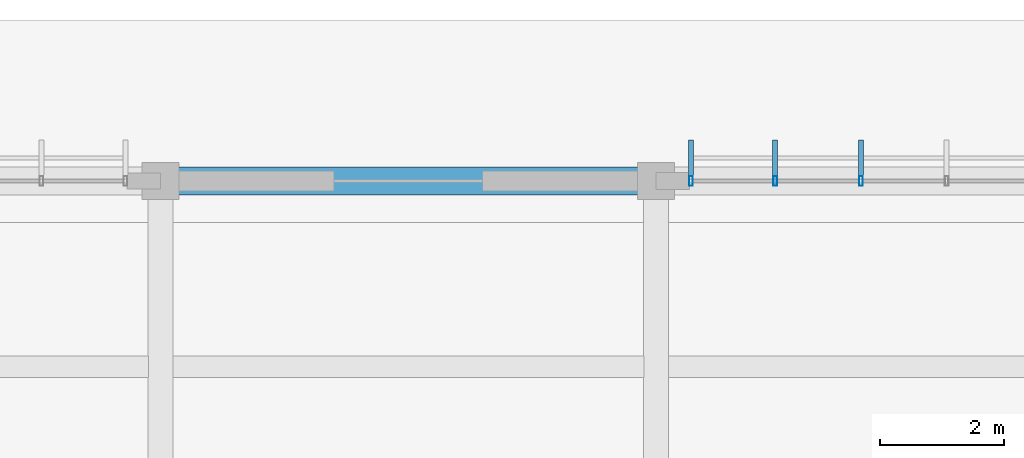
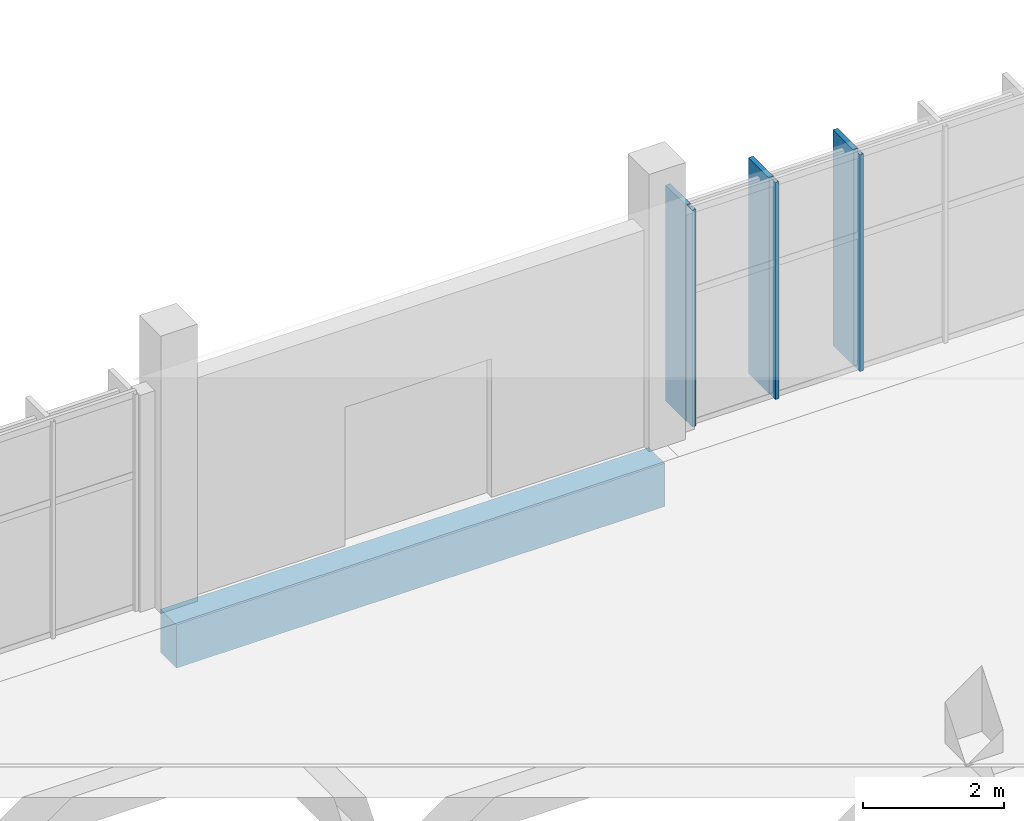
# One storey, part 93 of 151: 6 members, 1 beam, 1 element without a shape of its own.
"""IFC4 building model written with IfcOpenShell, lengths in metres."""

from ifc_helpers import new_model, si_unit, direction, frame, origin, origin_2d, place, context, subcontext, project, spatial, rectangle, hollow_rectangle, extrude, material, material_profile, profile_set, type_object, element, aggregate, save


model = new_model("IFC4")

# Units and contexts
model_context = context("Model", 3, precision=1e-05, world=origin(), true_north=direction((0.0, 1.0)))
body_context = subcontext(model_context, "Body", "Model", "MODEL_VIEW")
ifc_project = project(units=[si_unit("LENGTHUNIT", "METRE"), si_unit("AREAUNIT", "SQUARE_METRE"), si_unit("VOLUMEUNIT", "CUBIC_METRE"), si_unit("PLANEANGLEUNIT", "RADIAN"), si_unit("MASSUNIT", "GRAM", prefix="KILO")], contexts=[model_context])

# Site, building, storey
site_placement = place(None, origin())
site = spatial("IfcSite", under=ifc_project, at=site_placement, CompositionType="ELEMENT")
building_placement = place(site_placement, origin())
building = spatial("IfcBuilding", under=site, at=building_placement, Name="Chiffa Square Polytechnic", CompositionType="ELEMENT")
storey_placement = place(building_placement, origin())
storey = spatial("IfcBuildingStorey", under=building, at=storey_placement, Name="L00", CompositionType="ELEMENT", Elevation=0.0)

# Beam
ifc_material_1 = material(Name="Concrete C35/45", Category="concrete")
ifc_material_profile_1 = material_profile(ifc_material_1, rectangle(XDim=0.449951171875, YDim=0.75, at=origin_2d()), Name="RC 450x750")
ifc_profile_set_1 = profile_set([ifc_material_profile_1], Name="Concrete C35/45")
beam_type = type_object("IfcBeamType", Name="BM-RC-450X750", PredefinedType="BEAM", material=ifc_profile_set_1)
beam_placement = place(storey_placement, frame((16.0, 130.800048828125, -0.72509765625), z_axis=(1.0, 0.0, 0.0), x_axis=(0.0, 1.0, 0.0)))
element("IfcBeam", 1, at=beam_placement, inside=storey, type_object=beam_type, Name="Primary floor girder BM-V5-L00-X-0160-1308", PredefinedType="BEAM", context=body_context, shape_type="SweptSolid", body=[
    extrude(rectangle(XDim=0.449951171875, YDim=0.75, at=origin_2d()), origin(), (0.0, 0.0, 1.0), 8.0),
])

# Curtain wall, members
ifc_material_2 = material(Name="Aluminium EN AW-6060 T66 and glulam shading", Category="wood")
curtain_wall_type = type_object("IfcCurtainWallType", Name="CW-VERT-600X380", PredefinedType="USERDEFINED", material=ifc_material_2)
curtain_wall_placement = place(storey_placement, origin())
curtain_wall = element("IfcCurtainWall", 2, at=curtain_wall_placement, inside=storey, type_object=curtain_wall_type, Name="Curtain wall CW-V5-L00-196", ObjectType="CURTAIN WALL", PredefinedType="USERDEFINED")
ifc_material_3 = material(Name="Aluminium EN AW-6060 T66", Category="aluminium")
ifc_material_profile_2 = material_profile(ifc_material_3, hollow_rectangle(XDim=0.06005859375, YDim=0.159912109375, WallThickness=0.00390625, at=origin_2d()), Name="ALU 60x160x4")
ifc_profile_set_2 = profile_set([ifc_material_profile_2], Name="Aluminium EN AW-6060 T66")
member_type_1 = type_object("IfcMemberType", Name="CWM-ALU-65X150", PredefinedType="MULLION", material=ifc_profile_set_2)
member_1_placement = place(storey_placement, frame((27.30810546875, 130.800048828125, 0.0), z_axis=(0.0, 0.0, 1.0), x_axis=(1.0, 0.0, 0.0)))
member_1 = element("IfcMember", 3, at=member_1_placement, type_object=member_type_1, Name="Curtain wall mullion CW-V5-L00-196-M03", PredefinedType="MULLION", context=body_context, shape_type="SweptSolid", body=[
    extrude(hollow_rectangle(XDim=0.06005859375, YDim=0.159912109375, WallThickness=0.00390625, at=origin_2d()), origin(), (0.0, 0.0, 1.0), 3.7548828125),
])
member_2_placement = place(storey_placement, frame((25.924072265625, 130.800048828125, 0.0), z_axis=(0.0, 0.0, 1.0), x_axis=(1.0, 0.0, 0.0)))
member_2 = element("IfcMember", 4, at=member_2_placement, type_object=member_type_1, Name="Curtain wall mullion CW-V5-L00-196-M04", PredefinedType="MULLION", context=body_context, shape_type="SweptSolid", body=[
    extrude(hollow_rectangle(XDim=0.06005859375, YDim=0.159912109375, WallThickness=0.00390625, at=origin_2d()), origin(), (0.0, 0.0, 1.0), 3.7548828125),
])
member_3_placement = place(storey_placement, frame((24.56494140625, 130.800048828125, 0.0), z_axis=(0.0, 0.0, 1.0), x_axis=(1.0, 0.0, 0.0)))
member_3 = element("IfcMember", 5, at=member_3_placement, type_object=member_type_1, Name="Curtain wall mullion CW-V5-L00-196-M05", PredefinedType="MULLION", context=body_context, shape_type="SweptSolid", body=[
    extrude(hollow_rectangle(XDim=0.06005859375, YDim=0.159912109375, WallThickness=0.00390625, at=origin_2d()), origin(), (0.0, 0.0, 1.0), 3.7548828125),
])
ifc_material_4 = material(Name="Glulam GL28h", Category="wood")
ifc_material_profile_3 = material_profile(ifc_material_4, rectangle(XDim=0.080078125, YDim=0.580078125, at=origin_2d()), Name="GL28h 80x580")
ifc_profile_set_3 = profile_set([ifc_material_profile_3], Name="Glulam GL28h")
member_type_2 = type_object("IfcMemberType", Name="CWM-GL-80X580", PredefinedType="MULLION", material=ifc_profile_set_3)
member_4_placement = place(storey_placement, frame((27.30810546875, 131.172119140625, 0.010009765625), z_axis=(0.0, 0.0, 1.0), x_axis=(-1.0, 0.0, 0.0)))
member_4 = element("IfcMember", 6, at=member_4_placement, type_object=member_type_2, Name="Exterior glulam solar fin CW-V5-L00-196-FN03", PredefinedType="MULLION", context=body_context, shape_type="SweptSolid", body=[
    extrude(rectangle(XDim=0.080078125, YDim=0.580078125, at=origin_2d()), origin(), (0.0, 0.0, 1.0), 3.735107421875),
])
member_5_placement = place(storey_placement, frame((25.924072265625, 131.172119140625, 0.010009765625), z_axis=(0.0, 0.0, 1.0), x_axis=(-1.0, 0.0, 0.0)))
member_5 = element("IfcMember", 7, at=member_5_placement, type_object=member_type_2, Name="Exterior glulam solar fin CW-V5-L00-196-FN04", PredefinedType="MULLION", context=body_context, shape_type="SweptSolid", body=[
    extrude(rectangle(XDim=0.080078125, YDim=0.580078125, at=origin_2d()), origin(), (0.0, 0.0, 1.0), 3.735107421875),
])
member_6_placement = place(storey_placement, frame((24.56494140625, 131.172119140625, 0.010009765625), z_axis=(0.0, 0.0, 1.0), x_axis=(-1.0, 0.0, 0.0)))
member_6 = element("IfcMember", 8, at=member_6_placement, type_object=member_type_2, Name="Exterior glulam solar fin CW-V5-L00-196-FN05", PredefinedType="MULLION", context=body_context, shape_type="SweptSolid", body=[
    extrude(rectangle(XDim=0.080078125, YDim=0.580078125, at=origin_2d()), origin(), (0.0, 0.0, 1.0), 3.735107421875),
])
aggregate(curtain_wall, [member_1, member_4, member_2, member_5, member_3, member_6])

save(model, "model.ifc")
